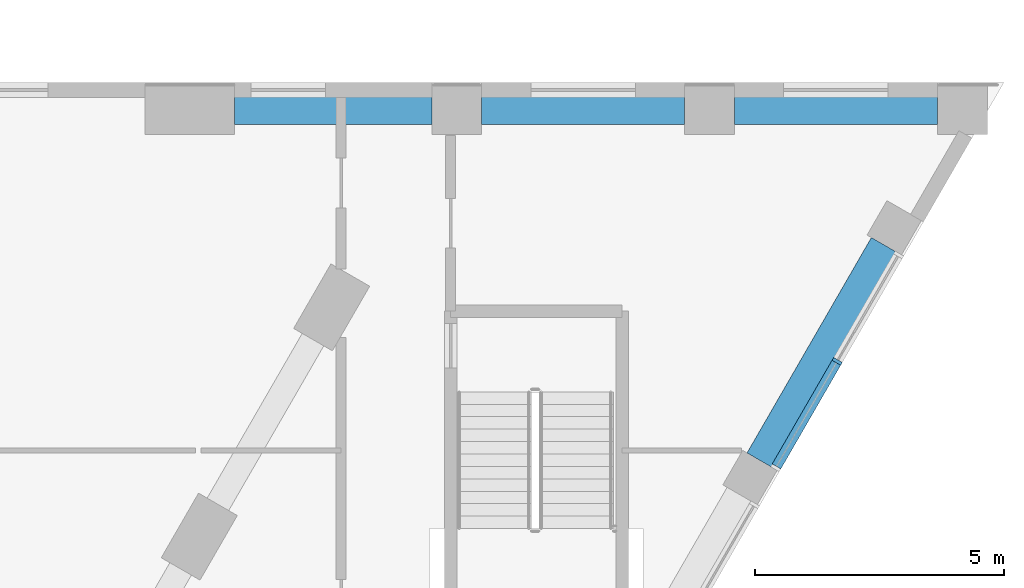
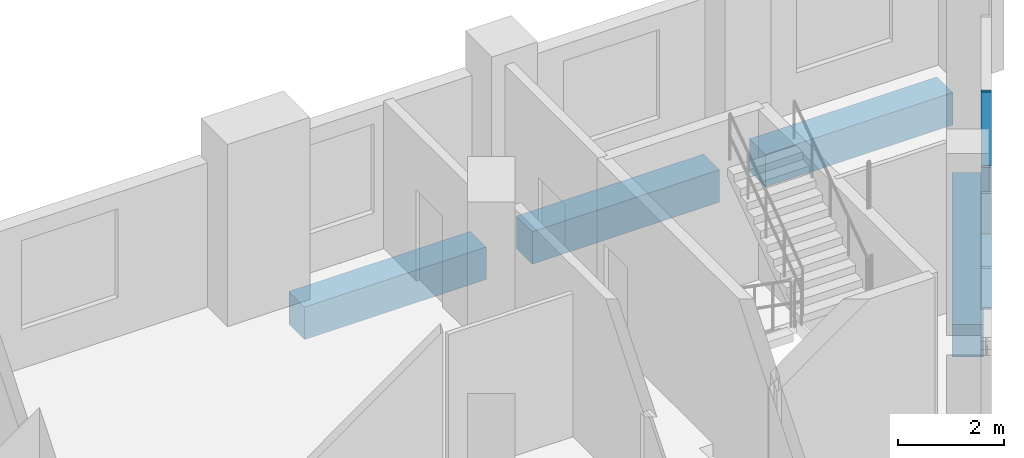
# One storey, part 4 of 22: 4 beams, 3 members, 1 element without a shape of its own.
"""IFC4 building model written with IfcOpenShell, lengths in metres."""

from ifc_helpers import new_model, si_unit, direction, frame, origin, origin_2d, place, context, subcontext, project, spatial, rectangle, extrude, material, layer, layer_set, material_profile, profile_set, type_object, element, aggregate, save


model = new_model("IFC4")

# Units and contexts
model_context = context("Model", 3, precision=1e-05, world=origin(), true_north=direction((0.0, 1.0)))
body_context = subcontext(model_context, "Body", "Model", "MODEL_VIEW")
ifc_project = project(units=[si_unit("LENGTHUNIT", "METRE"), si_unit("AREAUNIT", "SQUARE_METRE"), si_unit("VOLUMEUNIT", "CUBIC_METRE"), si_unit("PLANEANGLEUNIT", "RADIAN"), si_unit("MASSUNIT", "GRAM", prefix="KILO")], contexts=[model_context])

# Site, building, storey
site_placement = place(None, origin())
site = spatial("IfcSite", under=ifc_project, at=site_placement, CompositionType="ELEMENT")
building_placement = place(site_placement, origin())
building = spatial("IfcBuilding", under=site, at=building_placement, Name="Nakaniwa Court", CompositionType="ELEMENT")
storey_placement = place(building_placement, frame((0.0, 0.0, 24.0)))
storey = spatial("IfcBuildingStorey", under=building, at=storey_placement, Name="L05", CompositionType="ELEMENT", Elevation=24.0)

# Beams
ifc_material_1 = material(Name="Concrete C100/115", Category="concrete")
ifc_material_profile_1 = material_profile(ifc_material_1, rectangle(XDim=0.60009765625, YDim=0.75, at=origin_2d()), Name="Concrete C100/115 RC 600x750 ring beam")
ifc_profile_set_1 = profile_set([ifc_material_profile_1], Name="Concrete C100/115")
beam_type = type_object("IfcBeamType", Name="Concrete C100/115 RC 600x750 ring beam", PredefinedType="BEAM", material=ifc_profile_set_1)
beam_1_placement = place(storey_placement, frame((108.92333984375, 64.99658203125, -0.675048828125), z_axis=(0.499997052475, 0.866027105532, 0.0), x_axis=(-0.866027105532, 0.499997052475, 0.0)))
element("IfcBeam", 1, at=beam_1_placement, inside=storey, type_object=beam_type, Name="RING BEAM", PredefinedType="BEAM", context=body_context, shape_type="SweptSolid", body=[
    extrude(rectangle(XDim=0.60009765625, YDim=0.75, at=origin_2d()), origin(), (0.0, 0.0, 1.0), 5.00244140625),
])
beam_2_placement = place(storey_placement, frame((98.35791015625, 72.050048828125, -0.675048828125), z_axis=(1.0, 0.0, 0.0), x_axis=(0.0, 1.0, 0.0)))
element("IfcBeam", 2, at=beam_2_placement, inside=storey, type_object=beam_type, Name="RING BEAM", PredefinedType="BEAM", context=body_context, shape_type="SweptSolid", body=[
    extrude(rectangle(XDim=0.60009765625, YDim=0.75, at=origin_2d()), origin(), (0.0, 0.0, 1.0), 3.965087890625),
])
beam_3_placement = place(storey_placement, frame((103.322998046875, 72.050048828125, -0.675048828125), z_axis=(1.0, 0.0, 0.0), x_axis=(0.0, 1.0, 0.0)))
element("IfcBeam", 3, at=beam_3_placement, inside=storey, type_object=beam_type, Name="RING BEAM", PredefinedType="BEAM", context=body_context, shape_type="SweptSolid", body=[
    extrude(rectangle(XDim=0.60009765625, YDim=0.75, at=origin_2d()), origin(), (0.0, 0.0, 1.0), 4.0859375),
])
beam_4_placement = place(storey_placement, frame((108.408935546875, 72.050048828125, -0.675048828125), z_axis=(1.0, 0.0, 0.0), x_axis=(0.0, 1.0, 0.0)))
element("IfcBeam", 4, at=beam_4_placement, inside=storey, type_object=beam_type, Name="RING BEAM", PredefinedType="BEAM", context=body_context, shape_type="SweptSolid", body=[
    extrude(rectangle(XDim=0.60009765625, YDim=0.75, at=origin_2d()), origin(), (0.0, 0.0, 1.0), 4.087158203125),
])

# Curtain wall, members
ifc_material_2 = material(Name="Black anodised aluminium frame with dark low-E laminated double glazing", Category="aluminium")
ifc_layer = layer(ifc_material_2, 0.199951171875)
ifc_layer_set = layer_set([ifc_layer], Name="Black anodised aluminium frame with dark low-E laminated double glazing")
curtain_wall_type = type_object("IfcCurtainWallType", Name="Podium unitised curtain wall", PredefinedType="NOTDEFINED", material=ifc_layer_set)
curtain_wall_placement = place(storey_placement, origin())
curtain_wall = element("IfcCurtainWall", 5, at=curtain_wall_placement, inside=storey, type_object=curtain_wall_type, Name="L05 curtain wall CW1 02", PredefinedType="NOTDEFINED")
ifc_material_3 = material(Name="Black anodised aluminium extrusion", Category="aluminium")
ifc_material_profile_2 = material_profile(ifc_material_3, rectangle(XDim=0.199951171875, YDim=0.06494140625, at=origin_2d()), Name="Podium unitised curtain wall mullion 65x200")
ifc_profile_set_2 = profile_set([ifc_material_profile_2], Name="Black anodised aluminium extrusion")
member_type_1 = type_object("IfcMemberType", Name="Podium unitised curtain wall mullion 65x200", PredefinedType="MULLION", material=ifc_profile_set_2)
member_1_placement = place(storey_placement, frame((110.47705078125, 66.98779296875, 0.0), z_axis=(0.0, 0.0, 1.0), x_axis=(-0.866023723106, 0.500002911009, 0.0)))
member_1 = element("IfcMember", 6, at=member_1_placement, type_object=member_type_1, Name="CW1 mullion 2", PredefinedType="MULLION", context=body_context, shape_type="SweptSolid", body=[
    extrude(rectangle(XDim=0.199951171875, YDim=0.06494140625, at=origin_2d()), origin(), (0.0, 0.0, 1.0), 3.324951171875),
])
ifc_material_profile_3 = material_profile(ifc_material_3, rectangle(XDim=0.199951171875, YDim=0.050048828125, at=origin_2d()), Name="Podium unitised curtain wall transom 50x200")
ifc_profile_set_3 = profile_set([ifc_material_profile_3], Name="Black anodised aluminium extrusion")
member_type_2 = type_object("IfcMemberType", Name="Podium unitised curtain wall transom 50x200", PredefinedType="USERDEFINED", material=ifc_profile_set_3)
member_2_placement = place(storey_placement, frame((109.2568359375, 64.87451171875, 0.02490234375), z_axis=(0.499988695522, 0.866031930329, 0.0), x_axis=(-0.866031930329, 0.499988695522, 0.0)))
member_2 = element("IfcMember", 7, at=member_2_placement, type_object=member_type_2, Name="CW1 transom 1.1", ObjectType="TRANSOM", PredefinedType="USERDEFINED", context=body_context, shape_type="SweptSolid", body=[
    extrude(rectangle(XDim=0.199951171875, YDim=0.050048828125, at=origin_2d()), origin(), (0.0, 0.0, 1.0), 2.40771484375),
])
member_3_placement = place(storey_placement, frame((109.2568359375, 64.87451171875, 3.300048828125), z_axis=(0.499988695522, 0.866031930329, 0.0), x_axis=(-0.866031930329, 0.499988695522, 0.0)))
member_3 = element("IfcMember", 8, at=member_3_placement, type_object=member_type_2, Name="CW1 transom 1.2", ObjectType="TRANSOM", PredefinedType="USERDEFINED", context=body_context, shape_type="SweptSolid", body=[
    extrude(rectangle(XDim=0.199951171875, YDim=0.050048828125, at=origin_2d()), origin(), (0.0, 0.0, 1.0), 2.40771484375),
])
aggregate(curtain_wall, [member_1, member_2, member_3])

save(model, "model.ifc")
